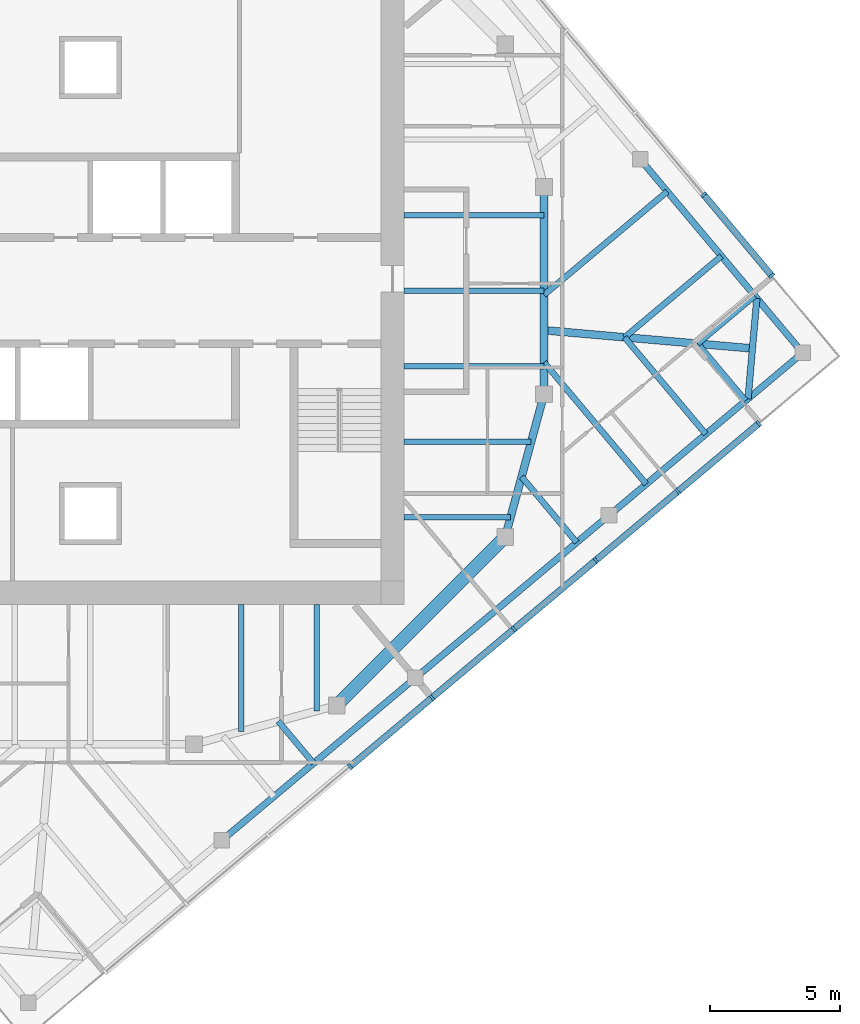
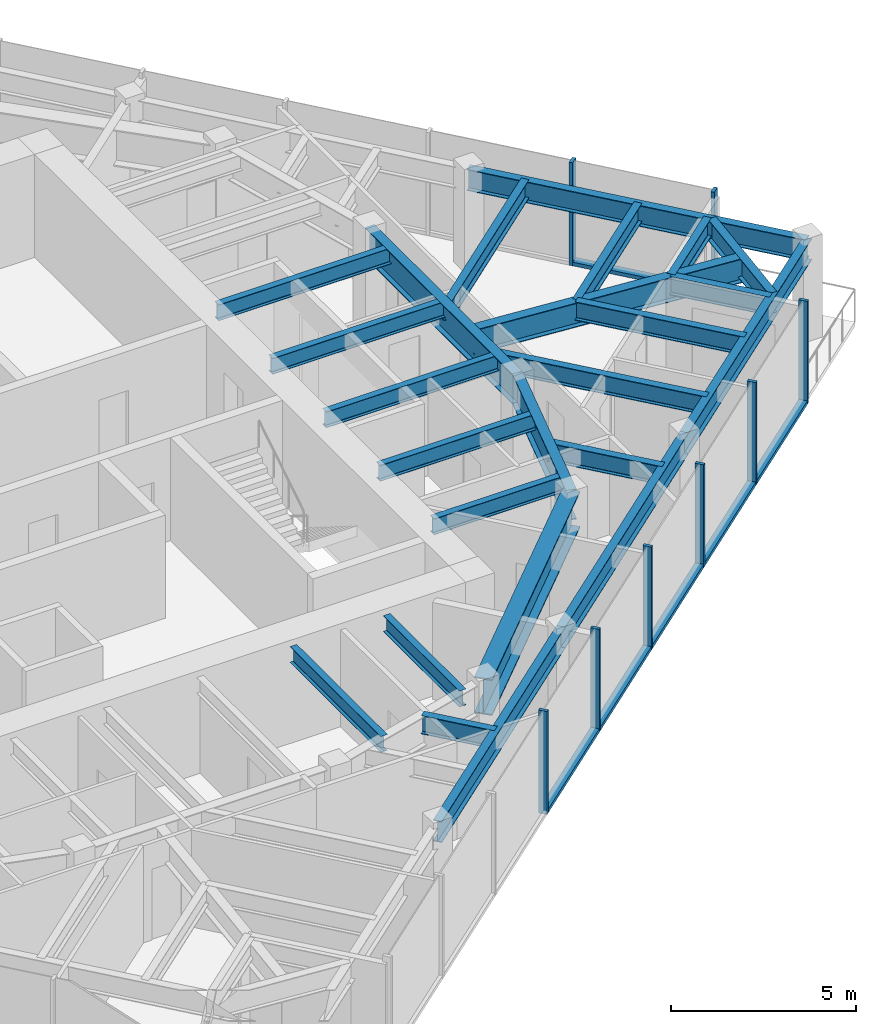
# One storey, part 3 of 12: 24 beams, 14 members, 2 elements without a shape of their own.
"""IFC4 building model written with IfcOpenShell, lengths in metres."""

from ifc_helpers import new_model, si_unit, direction, frame, origin, origin_2d, place, context, subcontext, project, spatial, rectangle, i_section, extrude, material, material_profile, profile_set, type_object, element, aggregate, save


model = new_model("IFC4")

# Units and contexts
model_context = context("Model", 3, precision=1e-05, world=origin(), true_north=direction((0.0, 1.0)))
body_context = subcontext(model_context, "Body", "Model", "MODEL_VIEW")
ifc_project = project(units=[si_unit("LENGTHUNIT", "METRE"), si_unit("AREAUNIT", "SQUARE_METRE"), si_unit("VOLUMEUNIT", "CUBIC_METRE"), si_unit("PLANEANGLEUNIT", "RADIAN"), si_unit("MASSUNIT", "GRAM", prefix="KILO")], contexts=[model_context])

# Site, building, storey
site_placement = place(None, origin())
site = spatial("IfcSite", under=ifc_project, at=site_placement, CompositionType="ELEMENT")
building_placement = place(site_placement, origin())
building = spatial("IfcBuilding", under=site, at=building_placement, Name="Torsade Residences", CompositionType="ELEMENT")
storey_placement = place(building_placement, frame((0.0, 0.0, 296.39990234375)))
storey = spatial("IfcBuildingStorey", under=building, at=storey_placement, Name="L82", CompositionType="ELEMENT", Elevation=296.39990234375)

# Beams
ifc_material_1 = material(Name="Steel grade 300", Category="steel")
ifc_material_profile_1 = material_profile(ifc_material_1, i_section(OverallWidth=0.300048828125, OverallDepth=0.800048828125, WebThickness=0.010009765625, FlangeThickness=0.02001953125, at=origin_2d()), Name="800WB146")
ifc_profile_set_1 = profile_set([ifc_material_profile_1], Name="Steel grade 300")
beam_type_1 = type_object("IfcBeamType", Name="CORNER GIRDER 800WB146", PredefinedType="BEAM", material=ifc_profile_set_1)
beam_1_placement = place(storey_placement, frame((65.53515625, 27.765869140625, 2.800048828125), z_axis=(-0.996193191806, 0.087172957961, 0.0), x_axis=(-0.087172957961, -0.996193191806, 0.0)))
element("IfcBeam", 1, at=beam_1_placement, inside=storey, type_object=beam_type_1, Name="Corner girder 05 L83", PredefinedType="BEAM", context=body_context, shape_type="SweptSolid", body=[
    extrude(i_section(OverallWidth=0.300048828125, OverallDepth=0.800048828125, WebThickness=0.010009765625, FlangeThickness=0.02001953125, at=origin_2d()), origin(), (0.0, 0.0, 1.0), 8.06591796875),
])
ifc_material_2 = material(Name="Steel grade 300", Category="steel")
ifc_material_profile_2 = material_profile(ifc_material_2, i_section(OverallWidth=0.25, OverallDepth=0.699951171875, WebThickness=0.010009765625, FlangeThickness=0.02001953125, at=origin_2d()), Name="700WB130")
ifc_profile_set_2 = profile_set([ifc_material_profile_2], Name="Steel grade 300")
beam_type_2 = type_object("IfcBeamType", Name="CORNER TRIMMER 700WB130", PredefinedType="BEAM", material=ifc_profile_set_2)
beam_2_placement = place(storey_placement, frame((65.70458984375, 29.703125, 2.85009765625), z_axis=(-0.087133464362, -0.996196646947, 0.0), x_axis=(0.996196646947, -0.087133464362, 0.0)))
element("IfcBeam", 2, at=beam_2_placement, inside=storey, type_object=beam_type_2, Name="Corner trimmer 05 L83", PredefinedType="BEAM", context=body_context, shape_type="SweptSolid", body=[
    extrude(i_section(OverallWidth=0.25, OverallDepth=0.699951171875, WebThickness=0.010009765625, FlangeThickness=0.02001953125, at=origin_2d()), origin(), (0.0, 0.0, 1.0), 3.88916015625),
])
ifc_material_3 = material(Name="Steel grade 300", Category="steel")
ifc_material_profile_3 = material_profile(ifc_material_3, i_section(OverallWidth=0.25, OverallDepth=0.699951171875, WebThickness=0.010009765625, FlangeThickness=0.02001953125, at=origin_2d()), Name="700WB130")
ifc_profile_set_3 = profile_set([ifc_material_profile_3], Name="Steel grade 300")
beam_type_3 = type_object("IfcBeamType", Name="EDGE BEAM 700WB130", PredefinedType="SPANDREL", material=ifc_profile_set_3)
for number, where, z_axis, x_axis, name in (
    (3, (45.0654296875, 8.794921875, 2.85009765625), (0.766051532934, 0.642779160279, 0.0), (-0.642779160279, 0.766051532934, 0.0), "Edge beam 02 L83"),
    (4, (52.534423828125, 15.06201171875, 2.85009765625), (0.766028856906, 0.642806184154, 0.0), (-0.642806184154, 0.766028856906, 0.0), "Edge beam 03 L83"),
    (5, (60.003173828125, 21.329345703125, 2.85009765625), (0.766051532934, 0.642779160279, 0.0), (-0.642779160279, 0.766051532934, 0.0), "Edge beam 04 L83"),
    (6, (67.47216796875, 27.596435546875, 2.85009765625), (-0.642779160279, 0.766051532934, 0.0), (-0.766051532934, -0.642779160279, 0.0), "Edge beam 05 L83"),
):
    element("IfcBeam", number, at=place(storey_placement, frame(where, z_axis=z_axis, x_axis=x_axis)), inside=storey, type_object=beam_type_3, Name=name, PredefinedType="SPANDREL", context=body_context, shape_type="SweptSolid", body=[
        extrude(i_section(OverallWidth=0.25, OverallDepth=0.699951171875, WebThickness=0.010009765625, FlangeThickness=0.02001953125, at=origin_2d()), origin(), (0.0, 0.0, 1.0), 9.75),
    ])

# Curtain wall, members
ifc_material_4 = material(Name="Aluminium and glass", Category="aluminium")
curtain_wall_type = type_object("IfcCurtainWallType", Name="FRITTED GLASS CURTAIN WALL HIGH ZONE", PredefinedType="NOTDEFINED", material=ifc_material_4)
curtain_wall_1_placement = place(storey_placement, origin())
curtain_wall_1 = element("IfcCurtainWall", 7, at=curtain_wall_1_placement, inside=storey, type_object=curtain_wall_type, Name="Curtain wall L82 face 1", PredefinedType="NOTDEFINED")
ifc_material_5 = material(Name="Aluminium mullion", Category="aluminium")
ifc_material_profile_4 = material_profile(ifc_material_5, rectangle(XDim=0.25, YDim=0.10009765625, at=origin_2d()), Name="HIGH ZONE CURTAIN WALL MULLION 250x100")
ifc_profile_set_4 = profile_set([ifc_material_profile_4], Name="Aluminium mullion")
member_type_1 = type_object("IfcMemberType", Name="HIGH ZONE CURTAIN WALL MULLION 250x100", PredefinedType="MULLION", material=ifc_profile_set_4)
member_1_placement = place(storey_placement, frame((50.017333984375, 11.64453125, 0.0), z_axis=(0.0, 0.0, 1.0), x_axis=(-0.642787616853, 0.766044437106, 0.0)))
member_1 = element("IfcMember", 8, at=member_1_placement, type_object=member_type_1, Name="Mullion 4", PredefinedType="MULLION", context=body_context, shape_type="SweptSolid", body=[
    extrude(rectangle(XDim=0.25, YDim=0.10009765625, at=origin_2d()), origin(), (0.0, 0.0, 1.0), 3.400146484375),
])
member_2_placement = place(storey_placement, frame((53.17724609375, 14.296142578125, 0.0), z_axis=(0.0, 0.0, 1.0), x_axis=(-0.642787616853, 0.766044437106, 0.0)))
member_2 = element("IfcMember", 9, at=member_2_placement, type_object=member_type_1, Name="Mullion 5", PredefinedType="MULLION", context=body_context, shape_type="SweptSolid", body=[
    extrude(rectangle(XDim=0.25, YDim=0.10009765625, at=origin_2d()), origin(), (0.0, 0.0, 1.0), 3.400146484375),
])
member_3_placement = place(storey_placement, frame((56.337158203125, 16.947509765625, 0.0), z_axis=(0.0, 0.0, 1.0), x_axis=(-0.642787616853, 0.766044437106, 0.0)))
member_3 = element("IfcMember", 10, at=member_3_placement, type_object=member_type_1, Name="Mullion 6", PredefinedType="MULLION", context=body_context, shape_type="SweptSolid", body=[
    extrude(rectangle(XDim=0.25, YDim=0.10009765625, at=origin_2d()), origin(), (0.0, 0.0, 1.0), 3.400146484375),
])
member_4_placement = place(storey_placement, frame((59.4970703125, 19.59912109375, 0.0), z_axis=(0.0, 0.0, 1.0), x_axis=(-0.642787616853, 0.766044437106, 0.0)))
member_4 = element("IfcMember", 11, at=member_4_placement, type_object=member_type_1, Name="Mullion 7", PredefinedType="MULLION", context=body_context, shape_type="SweptSolid", body=[
    extrude(rectangle(XDim=0.25, YDim=0.10009765625, at=origin_2d()), origin(), (0.0, 0.0, 1.0), 3.400146484375),
])
member_5_placement = place(storey_placement, frame((62.656982421875, 22.25048828125, 0.0), z_axis=(0.0, 0.0, 1.0), x_axis=(-0.642787616853, 0.766044437106, 0.0)))
member_5 = element("IfcMember", 12, at=member_5_placement, type_object=member_type_1, Name="Mullion 8", PredefinedType="MULLION", context=body_context, shape_type="SweptSolid", body=[
    extrude(rectangle(XDim=0.25, YDim=0.10009765625, at=origin_2d()), origin(), (0.0, 0.0, 1.0), 3.400146484375),
])
member_6_placement = place(storey_placement, frame((65.778564453125, 24.869873046875, 0.0), z_axis=(0.0, 0.0, 1.0), x_axis=(-0.642787616853, 0.766044437106, 0.0)))
member_6 = element("IfcMember", 13, at=member_6_placement, type_object=member_type_1, Name="Mullion 9", PredefinedType="MULLION", context=body_context, shape_type="SweptSolid", body=[
    extrude(rectangle(XDim=0.25, YDim=0.10009765625, at=origin_2d()), origin(), (0.0, 0.0, 1.0), 3.400146484375),
])

curtain_wall_2_placement = place(storey_placement, origin())
curtain_wall_2 = element("IfcCurtainWall", 14, at=curtain_wall_2_placement, inside=storey, type_object=curtain_wall_type, Name="Curtain wall L82 face 4", PredefinedType="NOTDEFINED")
member_7_placement = place(storey_placement, frame((66.27783203125, 30.57568359375, 0.0), z_axis=(0.0, 0.0, 1.0), x_axis=(-0.766044437106, -0.642787616853, 0.0)))
member_7 = element("IfcMember", 15, at=member_7_placement, type_object=member_type_1, Name="Mullion 1", PredefinedType="MULLION", context=body_context, shape_type="SweptSolid", body=[
    extrude(rectangle(XDim=0.25, YDim=0.10009765625, at=origin_2d()), origin(), (0.0, 0.0, 1.0), 3.400146484375),
])
member_8_placement = place(storey_placement, frame((63.658447265625, 33.697265625, 0.0), z_axis=(0.0, 0.0, 1.0), x_axis=(-0.766044437106, -0.642787616853, 0.0)))
member_8 = element("IfcMember", 16, at=member_8_placement, type_object=member_type_1, Name="Mullion 2", PredefinedType="MULLION", context=body_context, shape_type="SweptSolid", body=[
    extrude(rectangle(XDim=0.25, YDim=0.10009765625, at=origin_2d()), origin(), (0.0, 0.0, 1.0), 3.400146484375),
])

# Member
ifc_material_6 = material(Name="Aluminium transom", Category="aluminium")
ifc_material_profile_5 = material_profile(ifc_material_6, rectangle(XDim=0.25, YDim=0.1201171875, at=origin_2d()), Name="HIGH ZONE CURTAIN WALL TRANSOM 250x120")
ifc_profile_set_5 = profile_set([ifc_material_profile_5], Name="Aluminium transom")
member_type_2 = type_object("IfcMemberType", Name="HIGH ZONE CURTAIN WALL TRANSOM 250x120", PredefinedType="USERDEFINED", material=ifc_profile_set_5)
member_9_placement = place(storey_placement, frame((50.055419921875, 11.6767578125, 0.06005859375), z_axis=(0.766069182322, 0.6427581255, 0.0), x_axis=(-0.6427581255, 0.766069182322, 0.0)))
member_9 = element("IfcMember", 17, at=member_9_placement, type_object=member_type_2, Name="Transom 4.1", ObjectType="TRANSOM", PredefinedType="USERDEFINED", context=body_context, shape_type="SweptSolid", body=[
    extrude(rectangle(XDim=0.25, YDim=0.1201171875, at=origin_2d()), origin(), (0.0, 0.0, 1.0), 4.025146484375),
])

member_10_placement = place(storey_placement, frame((53.21533203125, 14.328125, 0.06005859375), z_axis=(0.766039316443, 0.642793719372, 0.0), x_axis=(-0.642793719372, 0.766039316443, 0.0)))
member_10 = element("IfcMember", 18, at=member_10_placement, type_object=member_type_2, Name="Transom 5.1", ObjectType="TRANSOM", PredefinedType="USERDEFINED", context=body_context, shape_type="SweptSolid", body=[
    extrude(rectangle(XDim=0.25, YDim=0.1201171875, at=origin_2d()), origin(), (0.0, 0.0, 1.0), 4.025146484375),
])

member_11_placement = place(storey_placement, frame((56.37548828125, 16.979736328125, 0.06005859375), z_axis=(0.766044121803, 0.642787992616, 0.0), x_axis=(-0.642787992616, 0.766044121803, 0.0)))
member_11 = element("IfcMember", 19, at=member_11_placement, type_object=member_type_2, Name="Transom 6.1", ObjectType="TRANSOM", PredefinedType="USERDEFINED", context=body_context, shape_type="SweptSolid", body=[
    extrude(rectangle(XDim=0.25, YDim=0.1201171875, at=origin_2d()), origin(), (0.0, 0.0, 1.0), 4.02490234375),
])

member_12_placement = place(storey_placement, frame((59.535400390625, 19.63134765625, 0.06005859375), z_axis=(0.766044121803, 0.642787992616, 0.0), x_axis=(-0.642787992616, 0.766044121803, 0.0)))
member_12 = element("IfcMember", 20, at=member_12_placement, type_object=member_type_2, Name="Transom 7.1", ObjectType="TRANSOM", PredefinedType="USERDEFINED", context=body_context, shape_type="SweptSolid", body=[
    extrude(rectangle(XDim=0.25, YDim=0.1201171875, at=origin_2d()), origin(), (0.0, 0.0, 1.0), 4.02490234375),
])

member_13_placement = place(storey_placement, frame((62.6953125, 22.28271484375, 0.06005859375), z_axis=(0.766021778456, 0.642814619413, 0.0), x_axis=(-0.642814619413, 0.766021778456, 0.0)))
member_13 = element("IfcMember", 21, at=member_13_placement, type_object=member_type_2, Name="Transom 8.1", ObjectType="TRANSOM", PredefinedType="USERDEFINED", context=body_context, shape_type="SweptSolid", body=[
    extrude(rectangle(XDim=0.25, YDim=0.1201171875, at=origin_2d()), origin(), (0.0, 0.0, 1.0), 3.97509765625),
])

aggregate(curtain_wall_1, [member_1, member_2, member_3, member_4, member_5, member_6, member_9, member_10, member_11, member_12, member_13])

member_14_placement = place(storey_placement, frame((66.24560546875, 30.614013671875, 0.06005859375), z_axis=(-0.642814619413, 0.766021778456, 0.0), x_axis=(-0.766021778456, -0.642814619413, 0.0)))
member_14 = element("IfcMember", 22, at=member_14_placement, type_object=member_type_2, Name="Transom 1.1", ObjectType="TRANSOM", PredefinedType="USERDEFINED", context=body_context, shape_type="SweptSolid", body=[
    extrude(rectangle(XDim=0.25, YDim=0.1201171875, at=origin_2d()), origin(), (0.0, 0.0, 1.0), 3.97509765625),
])

aggregate(curtain_wall_2, [member_7, member_8, member_14])

# Beams
ifc_material_7 = material(Name="Steel grade 300", Category="steel")
ifc_material_profile_6 = material_profile(ifc_material_7, i_section(OverallWidth=0.208984375, OverallDepth=0.528076171875, WebThickness=0.009521484375, FlangeThickness=0.01318359375, FilletRadius=0.013916015625, at=origin_2d()), Name="530UB82.0")
ifc_profile_set_6 = profile_set([ifc_material_profile_6], Name="Steel grade 300")
beam_type_4 = type_object("IfcBeamType", Name="INNER FLOOR BEAM 530UB82.0", PredefinedType="JOIST", material=ifc_profile_set_6)
beam_3_placement = place(storey_placement, frame((48.737548828125, 17.89990234375, 2.93603515625), z_axis=(0.0, -1.0, 0.0), x_axis=(1.0, 0.0, 0.0)))
element("IfcBeam", 23, at=beam_3_placement, inside=storey, type_object=beam_type_4, Name="Inner floor beam IS01 L83", PredefinedType="JOIST", context=body_context, shape_type="SweptSolid", body=[
    extrude(i_section(OverallWidth=0.208984375, OverallDepth=0.528076171875, WebThickness=0.009521484375, FlangeThickness=0.01318359375, FilletRadius=0.013916015625, at=origin_2d()), origin(), (0.0, 0.0, 1.0), 4.10791015625),
])
beam_4_placement = place(storey_placement, frame((45.824951171875, 17.89990234375, 2.93603515625), z_axis=(0.0, -1.0, 0.0), x_axis=(1.0, 0.0, 0.0)))
element("IfcBeam", 24, at=beam_4_placement, inside=storey, type_object=beam_type_4, Name="Inner floor beam IS02 L83", PredefinedType="JOIST", context=body_context, shape_type="SweptSolid", body=[
    extrude(i_section(OverallWidth=0.208984375, OverallDepth=0.528076171875, WebThickness=0.009521484375, FlangeThickness=0.01318359375, FilletRadius=0.013916015625, at=origin_2d()), origin(), (0.0, 0.0, 1.0), 4.902099609375),
])
beam_5_placement = place(storey_placement, frame((52.10009765625, 21.262451171875, 2.93603515625), z_axis=(1.0, 0.0, 0.0), x_axis=(0.0, 1.0, 0.0)))
element("IfcBeam", 25, at=beam_5_placement, inside=storey, type_object=beam_type_4, Name="Inner floor beam IE01 L83", PredefinedType="JOIST", context=body_context, shape_type="SweptSolid", body=[
    extrude(i_section(OverallWidth=0.208984375, OverallDepth=0.528076171875, WebThickness=0.009521484375, FlangeThickness=0.01318359375, FilletRadius=0.013916015625, at=origin_2d()), origin(), (0.0, 0.0, 1.0), 4.10791015625),
])
beam_6_placement = place(storey_placement, frame((52.10009765625, 24.175048828125, 2.93603515625), z_axis=(1.0, 0.0, 0.0), x_axis=(0.0, 1.0, 0.0)))
element("IfcBeam", 26, at=beam_6_placement, inside=storey, type_object=beam_type_4, Name="Inner floor beam IE02 L83", PredefinedType="JOIST", context=body_context, shape_type="SweptSolid", body=[
    extrude(i_section(OverallWidth=0.208984375, OverallDepth=0.528076171875, WebThickness=0.009521484375, FlangeThickness=0.01318359375, FilletRadius=0.013916015625, at=origin_2d()), origin(), (0.0, 0.0, 1.0), 4.902099609375),
])
for number, where, z_axis, x_axis, name in (
    (27, (52.10009765625, 27.08740234375, 2.93603515625), (1.0, 0.0, 0.0), (0.0, 1.0, 0.0), "Inner floor beam IE03 L83"),
    (28, (52.10009765625, 30.0, 2.93603515625), (1.0, 0.0, 0.0), (0.0, 1.0, 0.0), "Inner floor beam IE04 L83"),
    (29, (52.10009765625, 32.91259765625, 2.93603515625), (1.0, 0.0, 0.0), (0.0, 1.0, 0.0), "Inner floor beam IE05 L83"),
):
    element("IfcBeam", number, at=place(storey_placement, frame(where, z_axis=z_axis, x_axis=x_axis)), inside=storey, type_object=beam_type_4, Name=name, PredefinedType="JOIST", context=body_context, shape_type="SweptSolid", body=[
        extrude(i_section(OverallWidth=0.208984375, OverallDepth=0.528076171875, WebThickness=0.009521484375, FlangeThickness=0.01318359375, FilletRadius=0.013916015625, at=origin_2d()), origin(), (0.0, 0.0, 1.0), 5.39990234375),
    ])
ifc_material_8 = material(Name="Steel grade 300", Category="steel")
ifc_material_profile_7 = material_profile(ifc_material_8, i_section(OverallWidth=0.5, OverallDepth=1.199951171875, WebThickness=0.01611328125, FlangeThickness=0.0400390625, at=origin_2d()), Name="1200WB455")
ifc_profile_set_7 = profile_set([ifc_material_profile_7], Name="Steel grade 300")
beam_type_5 = type_object("IfcBeamType", Name="RING CORNER GIRDER 1200WB455", PredefinedType="BEAM", material=ifc_profile_set_7)
beam_7_placement = place(storey_placement, frame((49.5, 14.0, 2.60009765625), z_axis=(0.707106781187, 0.707106781187, 0.0), x_axis=(-0.707106781187, 0.707106781187, 0.0)))
element("IfcBeam", 30, at=beam_7_placement, inside=storey, type_object=beam_type_5, Name="Ring girder IR15 L83", PredefinedType="BEAM", context=body_context, shape_type="SweptSolid", body=[
    extrude(i_section(OverallWidth=0.5, OverallDepth=1.199951171875, WebThickness=0.01611328125, FlangeThickness=0.0400390625, at=origin_2d()), origin(), (0.0, 0.0, 1.0), 9.1923828125),
])
ifc_material_9 = material(Name="Steel grade 300", Category="steel")
ifc_material_profile_8 = material_profile(ifc_material_9, i_section(OverallWidth=0.300048828125, OverallDepth=1.0, WebThickness=0.01611328125, FlangeThickness=0.028076171875, at=origin_2d()), Name="1000WB215")
ifc_profile_set_8 = profile_set([ifc_material_profile_8], Name="Steel grade 300")
beam_type_6 = type_object("IfcBeamType", Name="RING GIRDER 1000WB215", PredefinedType="BEAM", material=ifc_profile_set_8)
beam_8_placement = place(storey_placement, frame((57.5, 26.0, 2.7001953125), z_axis=(0.0, 1.0, 0.0), x_axis=(-1.0, 0.0, 0.0)))
element("IfcBeam", 31, at=beam_8_placement, inside=storey, type_object=beam_type_6, Name="Ring girder IR01 L83", PredefinedType="BEAM", context=body_context, shape_type="SweptSolid", body=[
    extrude(i_section(OverallWidth=0.300048828125, OverallDepth=1.0, WebThickness=0.01611328125, FlangeThickness=0.028076171875, at=origin_2d()), origin(), (0.0, 0.0, 1.0), 8.0),
])
beam_9_placement = place(storey_placement, frame((56.0, 20.5, 2.7001953125), z_axis=(0.263117405792, 0.964763821238, 0.0), x_axis=(-0.964763821238, 0.263117405792, 0.0)))
element("IfcBeam", 32, at=beam_9_placement, inside=storey, type_object=beam_type_6, Name="Ring girder IR16 L83", PredefinedType="BEAM", context=body_context, shape_type="SweptSolid", body=[
    extrude(i_section(OverallWidth=0.300048828125, OverallDepth=1.0, WebThickness=0.01611328125, FlangeThickness=0.028076171875, at=origin_2d()), origin(), (0.0, 0.0, 1.0), 5.700927734375),
])
ifc_material_10 = material(Name="Steel grade 300", Category="steel")
ifc_material_profile_9 = material_profile(ifc_material_10, i_section(OverallWidth=0.22900390625, OverallDepth=0.612060546875, WebThickness=0.011962890625, FlangeThickness=0.01953125, FilletRadius=0.013916015625, at=origin_2d()), Name="610UB125")
ifc_profile_set_9 = profile_set([ifc_material_profile_9], Name="Steel grade 300")
beam_type_7 = type_object("IfcBeamType", Name="SECONDARY BEAM 610UB125", PredefinedType="JOIST", material=ifc_profile_set_9)
beam_10_placement = place(storey_placement, frame((48.6083984375, 11.767822265625, 2.89404296875), z_axis=(-0.642771977004, 0.766057560226, 0.0), x_axis=(-0.766057560226, -0.642771977004, 0.0)))
element("IfcBeam", 33, at=beam_10_placement, inside=storey, type_object=beam_type_7, Name="Floor beam FS05 L83", PredefinedType="JOIST", context=body_context, shape_type="SweptSolid", body=[
    extrude(i_section(OverallWidth=0.22900390625, OverallDepth=0.612060546875, WebThickness=0.011962890625, FlangeThickness=0.01953125, FilletRadius=0.013916015625, at=origin_2d()), origin(), (0.0, 0.0, 1.0), 2.113037109375),
])
beam_11_placement = place(storey_placement, frame((58.758544921875, 20.28466796875, 2.89404296875), z_axis=(-0.642786956891, 0.766044990879, 0.0), x_axis=(-0.766044990879, -0.642786956891, 0.0)))
element("IfcBeam", 34, at=beam_11_placement, inside=storey, type_object=beam_type_7, Name="Floor beam FS09 L83", PredefinedType="JOIST", context=body_context, shape_type="SweptSolid", body=[
    extrude(i_section(OverallWidth=0.22900390625, OverallDepth=0.612060546875, WebThickness=0.011962890625, FlangeThickness=0.01953125, FilletRadius=0.013916015625, at=origin_2d()), origin(), (0.0, 0.0, 1.0), 3.307861328125),
])
beam_12_placement = place(storey_placement, frame((61.439697265625, 22.534423828125, 2.89404296875), z_axis=(-0.642794037701, 0.766039049329, 0.0), x_axis=(-0.766039049329, -0.642794037701, 0.0)))
element("IfcBeam", 35, at=beam_12_placement, inside=storey, type_object=beam_type_7, Name="Floor beam FS10 L83", PredefinedType="JOIST", context=body_context, shape_type="SweptSolid", body=[
    extrude(i_section(OverallWidth=0.22900390625, OverallDepth=0.612060546875, WebThickness=0.011962890625, FlangeThickness=0.01953125, FilletRadius=0.013916015625, at=origin_2d()), origin(), (0.0, 0.0, 1.0), 6.12890625),
])
beam_13_placement = place(storey_placement, frame((63.73779296875, 24.462890625, 2.89404296875), z_axis=(-0.642791490223, 0.766041186946, 0.0), x_axis=(-0.766041186946, -0.642791490223, 0.0)))
element("IfcBeam", 36, at=beam_13_placement, inside=storey, type_object=beam_type_7, Name="Floor beam FS11 L83", PredefinedType="JOIST", context=body_context, shape_type="SweptSolid", body=[
    extrude(i_section(OverallWidth=0.22900390625, OverallDepth=0.612060546875, WebThickness=0.011962890625, FlangeThickness=0.01953125, FilletRadius=0.013916015625, at=origin_2d()), origin(), (0.0, 0.0, 1.0), 4.875),
])
for number, where, z_axis, x_axis, name in (
    (37, (65.269775390625, 25.74853515625, 2.89404296875), (-0.642761807001, 0.766066093402, 0.0), (-0.766066093402, -0.642761807001, 0.0), "Floor beam FS12 L83"),
    (38, (65.624267578125, 29.798828125, 2.89404296875), (-0.766066093402, -0.642761807001, 0.0), (0.642761807001, -0.766066093402, 0.0), "Floor beam FE01 L83"),
):
    element("IfcBeam", number, at=place(storey_placement, frame(where, z_axis=z_axis, x_axis=x_axis)), inside=storey, type_object=beam_type_7, Name=name, PredefinedType="JOIST", context=body_context, shape_type="SweptSolid", body=[
        extrude(i_section(OverallWidth=0.22900390625, OverallDepth=0.612060546875, WebThickness=0.011962890625, FlangeThickness=0.01953125, FilletRadius=0.013916015625, at=origin_2d()), origin(), (0.0, 0.0, 1.0), 2.875),
    ])
beam_14_placement = place(storey_placement, frame((64.338623046875, 31.3310546875, 2.89404296875), z_axis=(-0.766016526982, -0.642820877376, 0.0), x_axis=(0.642820877376, -0.766016526982, 0.0)))
element("IfcBeam", 39, at=beam_14_placement, inside=storey, type_object=beam_type_7, Name="Floor beam FE02 L83", PredefinedType="JOIST", context=body_context, shape_type="SweptSolid", body=[
    extrude(i_section(OverallWidth=0.22900390625, OverallDepth=0.612060546875, WebThickness=0.011962890625, FlangeThickness=0.01953125, FilletRadius=0.013916015625, at=origin_2d()), origin(), (0.0, 0.0, 1.0), 4.875),
])
beam_15_placement = place(storey_placement, frame((62.24951171875, 33.820556640625, 2.89404296875), z_axis=(-0.766041422722, -0.642791209238, 0.0), x_axis=(0.642791209238, -0.766041422722, 0.0)))
element("IfcBeam", 40, at=beam_15_placement, inside=storey, type_object=beam_type_7, Name="Floor beam FE03 L83", PredefinedType="JOIST", context=body_context, shape_type="SweptSolid", body=[
    extrude(i_section(OverallWidth=0.22900390625, OverallDepth=0.612060546875, WebThickness=0.011962890625, FlangeThickness=0.01953125, FilletRadius=0.013916015625, at=origin_2d()), origin(), (0.0, 0.0, 1.0), 6.199951171875),
])

save(model, "model.ifc")
